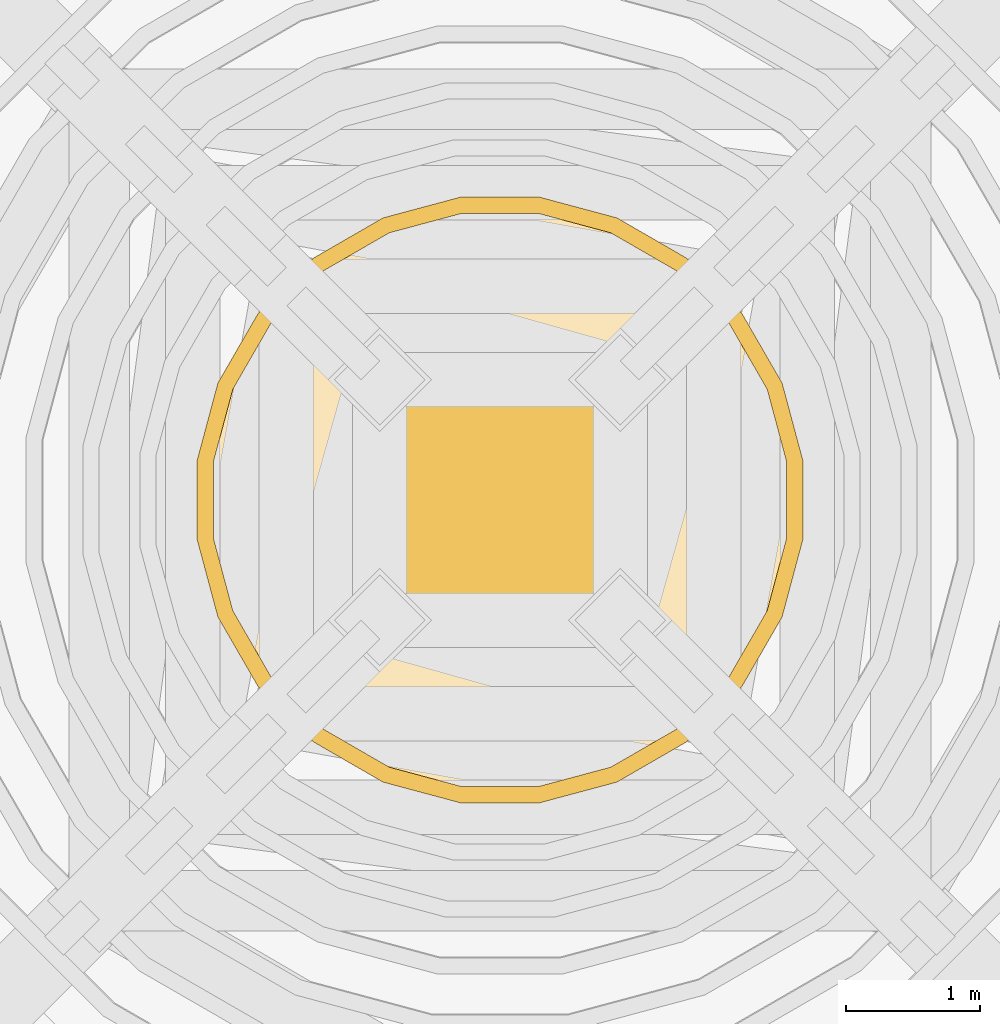
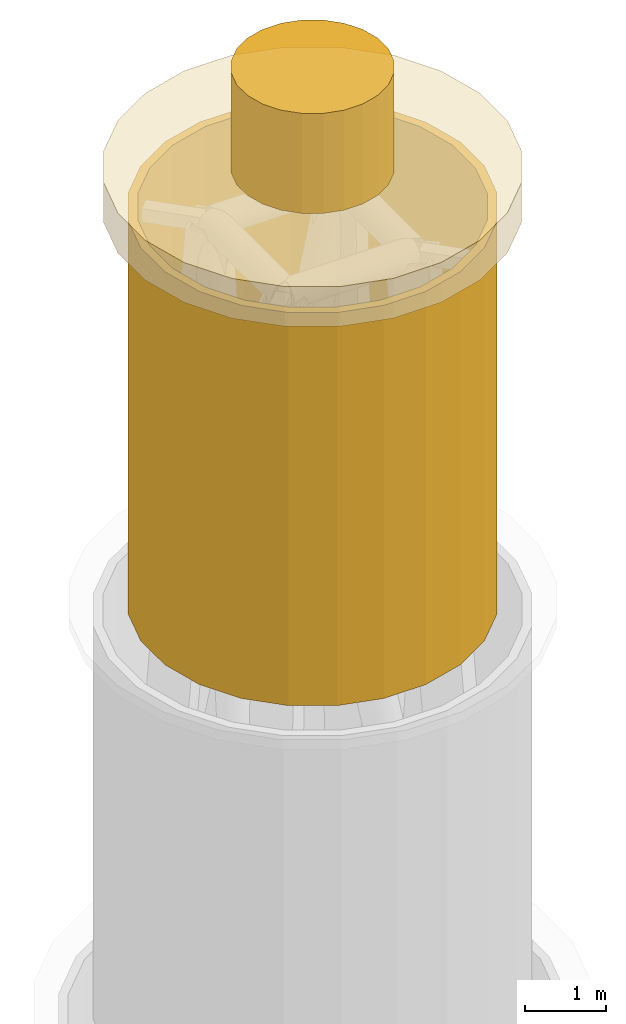
# One storey, part 4 of 4: 3 coverings.
"""IFC4 building model written with IfcOpenShell, lengths in metres."""

from ifc_helpers import new_model, si_unit, direction, frame, origin, place, context, subcontext, project, spatial, polyline, outline, extrude, material, layer, layer_set, type_object, element, save


model = new_model("IFC4")

# Units and contexts
model_context = context("Model", 3, precision=1e-05, world=origin(), true_north=direction((0.0, 1.0)))
body_context = subcontext(model_context, "Body", "Model", "MODEL_VIEW")
ifc_project = project(units=[si_unit("LENGTHUNIT", "METRE"), si_unit("AREAUNIT", "SQUARE_METRE"), si_unit("VOLUMEUNIT", "CUBIC_METRE"), si_unit("PLANEANGLEUNIT", "RADIAN"), si_unit("MASSUNIT", "GRAM", prefix="KILO")], contexts=[model_context])

# Site, building, storey
site_placement = place(None, origin())
site = spatial("IfcSite", under=ifc_project, at=site_placement, CompositionType="ELEMENT")
building_placement = place(site_placement, origin())
building = spatial("IfcBuilding", under=site, at=building_placement, Name="Tarangal Relay Tower", CompositionType="ELEMENT")
storey_placement = place(building_placement, frame((0.0, 0.0, 346.89990234375)))
storey = spatial("IfcBuildingStorey", under=building, at=storey_placement, Name="ROOF", CompositionType="ELEMENT", Elevation=346.89990234375)

# Coverings
ifc_material_1 = material(Name="Black anodised aluminium cap on a steel frame", Category="steel")
ifc_layer_1 = layer(ifc_material_1, 0.60009765625)
ifc_layer_set_1 = layer_set([ifc_layer_1], Name="Spire cap")
covering_type_1 = type_object("IfcCoveringType", Name="Spire cap", PredefinedType="CLADDING", material=ifc_layer_set_1)
covering_1_placement = place(storey_placement, frame((0.0, 0.0, 50.4501953125)))
element("IfcCovering", 1, at=covering_1_placement, inside=storey, type_object=covering_type_1, Name="Spire cap CR6", PredefinedType="CLADDING", context=body_context, shape_type="SweptSolid", body=[
    extrude(outline(polyline([(2.566650390625, 0.337890625), (2.3916015625, 0.99072265625), (2.0537109375, 1.575927734375), (1.575927734375, 2.0537109375), (0.99072265625, 2.3916015625), (0.337890625, 2.566650390625), (-0.337890625, 2.566650390625), (-0.99072265625, 2.3916015625), (-1.575927734375, 2.0537109375), (-2.0537109375, 1.575927734375), (-2.3916015625, 0.99072265625), (-2.566650390625, 0.337890625), (-2.566650390625, -0.337890625), (-2.3916015625, -0.99072265625), (-2.0537109375, -1.575927734375), (-1.575927734375, -2.0537109375), (-0.99072265625, -2.3916015625), (-0.337890625, -2.566650390625), (0.337890625, -2.566650390625), (0.99072265625, -2.3916015625), (1.575927734375, -2.0537109375), (2.0537109375, -1.575927734375), (2.3916015625, -0.99072265625), (2.566650390625, -0.337890625), (2.566650390625, 0.337890625)])), origin(), (0.0, 0.0, 1.0), 0.599853515625),
])
ifc_material_2 = material(Name="Black glass-reinforced polyester panels on aluminium rails", Category="concrete")
ifc_layer_2 = layer(ifc_material_2, 0.1201171875)
ifc_layer_set_2 = layer_set([ifc_layer_2], Name="Spire cladding band")
covering_type_2 = type_object("IfcCoveringType", Name="Spire cladding band", PredefinedType="CLADDING", material=ifc_layer_set_2)
covering_2_placement = place(storey_placement, frame((0.0, 0.0, 44.55712890625)))
element("IfcCovering", 2, at=covering_2_placement, inside=storey, type_object=covering_type_2, Name="Spire cladding band CR4 6", PredefinedType="CLADDING", context=body_context, shape_type="SweptSolid", body=[
    extrude(outline(polyline([(2.2666015625, 0.29833984375), (2.112060546875, 0.875), (1.813720703125, 1.3916015625), (1.3916015625, 1.813720703125), (0.875, 2.112060546875), (0.29833984375, 2.2666015625), (-0.29833984375, 2.2666015625), (-0.875, 2.112060546875), (-1.3916015625, 1.813720703125), (-1.813720703125, 1.3916015625), (-2.112060546875, 0.875), (-2.2666015625, 0.29833984375), (-2.2666015625, -0.29833984375), (-2.112060546875, -0.875), (-1.813720703125, -1.3916015625), (-1.3916015625, -1.813720703125), (-0.875, -2.112060546875), (-0.29833984375, -2.2666015625), (0.29833984375, -2.2666015625), (0.875, -2.112060546875), (1.3916015625, -1.813720703125), (1.813720703125, -1.3916015625), (2.112060546875, -0.875), (2.2666015625, -0.29833984375), (2.2666015625, 0.29833984375)]), holes=[polyline([(2.146484375, 0.28271484375), (2.000244140625, 0.82861328125), (1.7177734375, 1.318115234375), (1.318115234375, 1.7177734375), (0.82861328125, 2.000244140625), (0.28271484375, 2.146484375), (-0.28271484375, 2.146484375), (-0.82861328125, 2.000244140625), (-1.318115234375, 1.7177734375), (-1.7177734375, 1.318115234375), (-2.000244140625, 0.82861328125), (-2.146484375, 0.28271484375), (-2.146484375, -0.28271484375), (-2.000244140625, -0.82861328125), (-1.7177734375, -1.318115234375), (-1.318115234375, -1.7177734375), (-0.82861328125, -2.000244140625), (-0.28271484375, -2.146484375), (0.28271484375, -2.146484375), (0.82861328125, -2.000244140625), (1.318115234375, -1.7177734375), (1.7177734375, -1.318115234375), (2.000244140625, -0.82861328125), (2.146484375, -0.28271484375), (2.146484375, 0.28271484375)])]), origin(), (0.0, 0.0, 1.0), 5.89306640625),
])
ifc_material_3 = material(Name="Black anodised aluminium finial on a steel frame", Category="steel")
ifc_layer_3 = layer(ifc_material_3, 1.5)
ifc_layer_set_3 = layer_set([ifc_layer_3], Name="Spire finial")
covering_type_3 = type_object("IfcCoveringType", Name="Spire finial", PredefinedType="CLADDING", material=ifc_layer_set_3)
covering_3_placement = place(storey_placement, frame((0.0, 0.0, 51.050048828125)))
element("IfcCovering", 3, at=covering_3_placement, inside=storey, type_object=covering_type_3, Name="Spire finial CR7", PredefinedType="CLADDING", context=body_context, shape_type="SweptSolid", body=[
    extrude(outline(polyline([(1.0, 0.131591796875), (0.931884765625, 0.385986328125), (0.80029296875, 0.614013671875), (0.614013671875, 0.80029296875), (0.385986328125, 0.931884765625), (0.131591796875, 1.0), (-0.131591796875, 1.0), (-0.385986328125, 0.931884765625), (-0.614013671875, 0.80029296875), (-0.80029296875, 0.614013671875), (-0.931884765625, 0.385986328125), (-1.0, 0.131591796875), (-1.0, -0.131591796875), (-0.931884765625, -0.385986328125), (-0.80029296875, -0.614013671875), (-0.614013671875, -0.80029296875), (-0.385986328125, -0.931884765625), (-0.131591796875, -1.0), (0.131591796875, -1.0), (0.385986328125, -0.931884765625), (0.614013671875, -0.80029296875), (0.80029296875, -0.614013671875), (0.931884765625, -0.385986328125), (1.0, -0.131591796875), (1.0, 0.131591796875)])), origin(), (0.0, 0.0, 1.0), 1.5),
])

save(model, "model.ifc")
